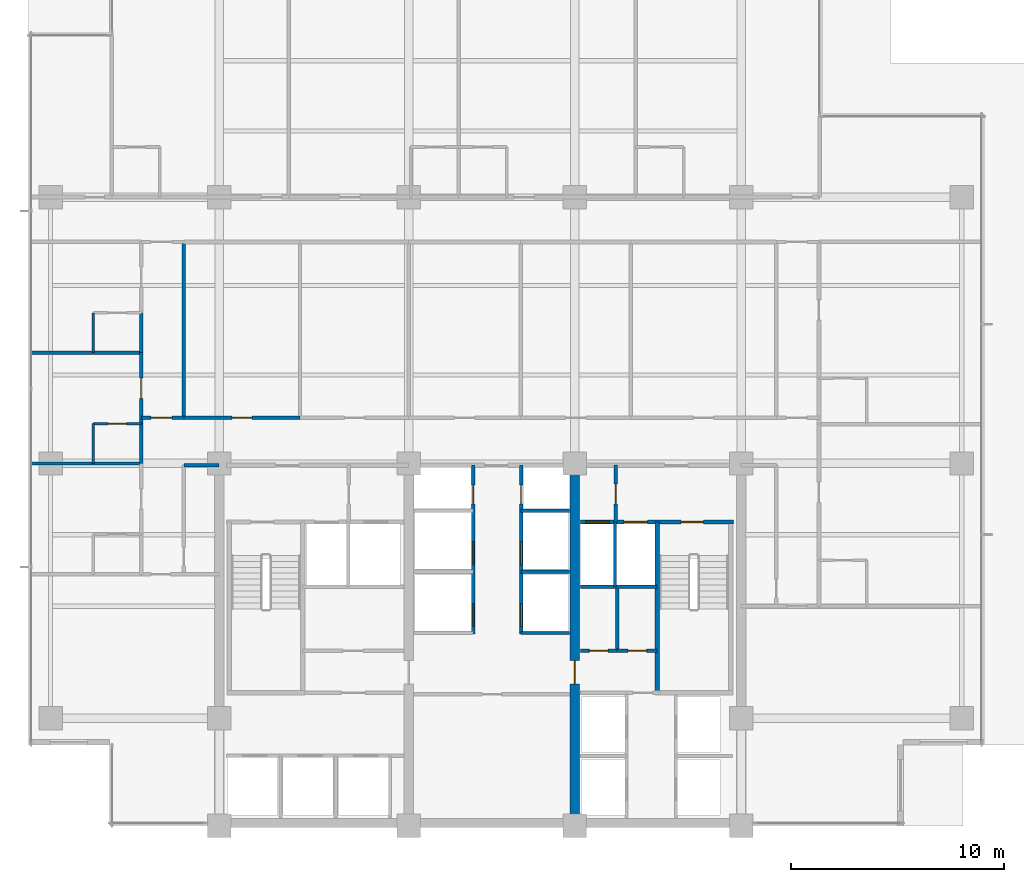
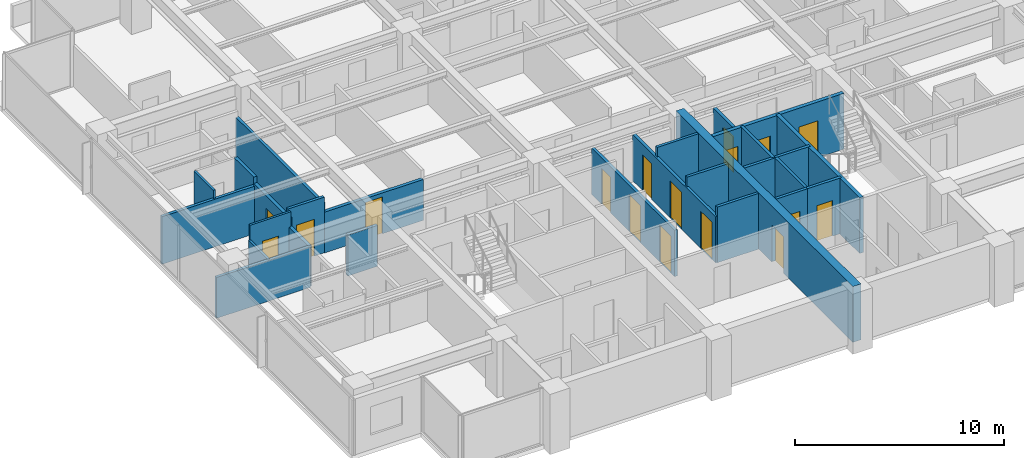
# One storey, part 8 of 16: 26 walls, 17 doors, 17 openings.
"""IFC4 building model written with IfcOpenShell, lengths in metres."""

import ifcopenshell
import ifcopenshell.guid

model = None  # the IFC model being written
_history = None  # IfcOwnerHistory: only IFC2X3 demands one
_inside = {}  # id of a spatial element -> (the spatial element, [elements in it])
_under = {}  # id of a project, library or spatial element -> (it, [spatial elements below it])
_declared = {}  # id of a project -> (the project, [libraries it declares])
_typed = {}  # id of a type object -> (the type object, [elements of that type])
_made_of = {}  # id of a material, layer set ... -> (it, [elements and type objects made of it])


def new_model(schema):
    """Start an empty IFC model of exactly this schema.

    Asked for "IFC4X3", IfcOpenShell would pick the latest addendum, in which some entities
    have other attributes; the version numbers below select the first issue.
    IFC2X3 requires an IfcOwnerHistory on every rooted entity: one is made here for all.
    """
    global model, _history
    if schema == "IFC4X3":
        model = ifcopenshell.file(schema_version=(4, 3, 0, 0))
    else:
        model = ifcopenshell.file(schema=schema)
    _inside.clear()
    _under.clear()
    _declared.clear()
    _typed.clear()
    _made_of.clear()
    _history = None
    if model.schema == "IFC2X3":
        org = make("IfcOrganization", Name="unknown")
        user = make(
            "IfcPersonAndOrganization",
            ThePerson=make("IfcPerson", FamilyName="unknown"),
            TheOrganization=org,
        )
        app = make(
            "IfcApplication",
            ApplicationDeveloper=org,
            Version="unknown",
            ApplicationFullName="unknown",
            ApplicationIdentifier="unknown",
        )
        _history = make(
            "IfcOwnerHistory",
            OwningUser=user,
            OwningApplication=app,
            ChangeAction="ADDED",
            CreationDate=0,
        )
    return model


def make(cls, **values):
    """One entity of the class cls with the attributes given. An attribute that is None is left unset."""
    return model.create_entity(
        cls, **{name: value for name, value in values.items() if value is not None}
    )


def rooted(cls, **values):
    """An entity with a GlobalId (a new one), such as an element, a storey or a relation."""
    return make(cls, GlobalId=ifcopenshell.guid.new(), OwnerHistory=_history, **values)


def si_unit(unit_type, name, prefix=None):
    """IfcSIUnit, for example si_unit("LENGTHUNIT", "METRE", prefix="MILLI")."""
    return make("IfcSIUnit", UnitType=unit_type, Prefix=prefix, Name=name)


def assignment(units):
    """IfcUnitAssignment: the units of a project."""
    return None if units is None else make("IfcUnitAssignment", Units=units)


def point(xyz):
    """IfcCartesianPoint."""
    return None if xyz is None else make("IfcCartesianPoint", Coordinates=xyz)


def direction(xyz):
    """IfcDirection."""
    return None if xyz is None else make("IfcDirection", DirectionRatios=xyz)


def frame(location, z_axis=None, x_axis=None):
    """IfcAxis2Placement3D, a coordinate frame: its origin and axes. An axis left out is left unset."""
    return make(
        "IfcAxis2Placement3D",
        Location=point(location),
        Axis=direction(z_axis),
        RefDirection=direction(x_axis),
    )


def frame_2d(location, x_axis=None):
    """IfcAxis2Placement2D, a coordinate frame in the plane: its origin and x axis."""
    return make(
        "IfcAxis2Placement2D", Location=point(location), RefDirection=direction(x_axis)
    )


def origin():
    """The frame at (0, 0, 0) with its axes left unset."""
    return frame((0.0, 0.0, 0.0))


def place(relative_to, where):
    """IfcLocalPlacement: puts the frame where relative to a parent placement (None: the world)."""
    return make(
        "IfcLocalPlacement", PlacementRelTo=relative_to, RelativePlacement=where
    )


def context(
    kind, dimensions, precision=None, world=None, true_north=None, identifier=None
):
    """IfcGeometricRepresentationContext, for example the 3D "Model" context."""
    return make(
        "IfcGeometricRepresentationContext",
        ContextIdentifier=identifier,
        ContextType=kind,
        CoordinateSpaceDimension=dimensions,
        Precision=precision,
        WorldCoordinateSystem=world,
        TrueNorth=true_north,
    )


def subcontext(parent, identifier, kind, view, scale=None):
    """IfcGeometricRepresentationSubContext, for example "Body" below "Model"."""
    return make(
        "IfcGeometricRepresentationSubContext",
        ContextIdentifier=identifier,
        ContextType=kind,
        ParentContext=parent,
        TargetScale=scale,
        TargetView=view,
    )


def project(units=None, contexts=None):
    """IfcProject with its units and contexts."""
    return rooted(
        "IfcProject",
        Name="project",
        RepresentationContexts=contexts,
        UnitsInContext=assignment(units),
    )


def spatial(cls, under=None, at=None, **own):
    """A site, building, storey or space (cls), placed at a placement, below another one or the project."""
    s = rooted(cls, ObjectPlacement=at, **own)
    if under is not None:
        _under.setdefault(under.id(), (under, []))[1].append(s)
    return s


def profile(cls, at=None, kind="AREA", **sizes):
    """A parametric profile (cls). Its sizes go by their IFC names, for example OverallWidth=200.0."""
    return make(cls, ProfileType=kind, Position=at, **sizes)


def rectangle(**sizes):
    """IfcRectangleProfileDef."""
    return profile("IfcRectangleProfileDef", **sizes)


def extrude(swept, where, along, depth):
    """IfcExtrudedAreaSolid: the profile swept, set in the frame where, extruded along a direction by depth."""
    return make(
        "IfcExtrudedAreaSolid",
        SweptArea=swept,
        Position=where,
        ExtrudedDirection=direction(along),
        Depth=depth,
    )


def shape(context_of_items, identifier, shape_type, items):
    """IfcShapeRepresentation: the items that make up one representation, for example the "Body"."""
    return make(
        "IfcShapeRepresentation",
        ContextOfItems=context_of_items,
        RepresentationIdentifier=identifier,
        RepresentationType=shape_type,
        Items=items,
    )


def material(Name=None, Category=None):
    """IfcMaterial."""
    return make("IfcMaterial", Name=Name, Category=Category)


def layer(
    of_material, thickness, ventilated=None, Name=None, Category=None, Priority=None
):
    """IfcMaterialLayer: one layer of a wall or slab, of a material (None: an air gap)."""
    return make(
        "IfcMaterialLayer",
        Material=of_material,
        LayerThickness=thickness,
        IsVentilated=ventilated,
        Name=Name,
        Category=Category,
        Priority=Priority,
    )


def layer_set(layers, Name=None):
    """IfcMaterialLayerSet."""
    return make("IfcMaterialLayerSet", MaterialLayers=layers, LayerSetName=Name)


def made_of(thing, what):
    """Note that an element or type object is made of a material, layer set ...; save() writes the relation."""
    if what is not None:
        _made_of.setdefault(what.id(), (what, []))[1].append(thing)
    return thing


def type_object(cls, material=None, **own):
    """A type object (cls), such as IfcWallType, which elements share."""
    return made_of(rooted(cls, **own), material)


def element(
    cls,
    number,
    at=None,
    inside=None,
    cuts=None,
    type_object=None,
    material=None,
    context=None,
    identifier="Body",
    shape_type=None,
    held_by="IfcProductDefinitionShape",
    body=None,
    shapes=None,
    **own,
):
    """One element of the class cls, such as IfcWall. Its Tag is "e" and its number.

    at: its placement. inside: the storey or other place that contains it. cuts: it is an
    opening in that element (IfcRelVoidsElement). A single representation is given by context,
    identifier, shape_type and body (its items); several are given by shapes. held_by: the class
    of the entity that holds the representations. save() writes the other relations.
    """
    e = rooted(cls, Tag="e%d" % number, ObjectPlacement=at, **own)
    if body is not None:
        shapes = [shape(context, identifier, shape_type, body)]
    if shapes is not None:
        e.Representation = make(held_by, Representations=shapes)
    if inside is not None:
        _inside.setdefault(inside.id(), (inside, []))[1].append(e)
    if cuts is not None:
        rooted(
            "IfcRelVoidsElement", RelatingBuildingElement=cuts, RelatedOpeningElement=e
        )
    if type_object is not None:
        _typed.setdefault(type_object.id(), (type_object, []))[1].append(e)
    return made_of(e, material)


def fill(opening, filler):
    """IfcRelFillsElement: the door or window that sits in an opening."""
    return rooted(
        "IfcRelFillsElement",
        RelatingOpeningElement=opening,
        RelatedBuildingElement=filler,
    )


def aggregate(whole, parts):
    """IfcRelAggregates: a whole, such as a stair, and the parts it consists of."""
    return rooted("IfcRelAggregates", RelatingObject=whole, RelatedObjects=parts)


def save(model, path):
    """Write the relations noted so far, then the file.

    IfcRelAggregates (storeys below a building ...), IfcRelContainedInSpatialStructure (elements
    in a storey), IfcRelDefinesByType, IfcRelAssociatesMaterial and IfcRelDeclares: one each for
    every whole, place, type object, material and project.
    """
    for whole, parts in _under.values():
        aggregate(whole, parts)
    for where, things in _inside.values():
        rooted(
            "IfcRelContainedInSpatialStructure",
            RelatedElements=things,
            RelatingStructure=where,
        )
    for kind, things in _typed.values():
        rooted("IfcRelDefinesByType", RelatedObjects=things, RelatingType=kind)
    for what, things in _made_of.values():
        rooted("IfcRelAssociatesMaterial", RelatedObjects=things, RelatingMaterial=what)
    for by, libraries in _declared.values():
        rooted("IfcRelDeclares", RelatingContext=by, RelatedDefinitions=libraries)
    model.write(path)


model = new_model("IFC4")

# Units and contexts
model_context = context("Model", 3, precision=1e-05, world=origin(), true_north=direction((0.0, 1.0)))
body_context = subcontext(model_context, "Body", "Model", "MODEL_VIEW")
ifc_project = project(units=[si_unit("LENGTHUNIT", "METRE"), si_unit("AREAUNIT", "SQUARE_METRE"), si_unit("VOLUMEUNIT", "CUBIC_METRE"), si_unit("PLANEANGLEUNIT", "RADIAN"), si_unit("MASSUNIT", "GRAM", prefix="KILO")], contexts=[model_context])

# Site, building, storey
site_placement = place(None, origin())
site = spatial("IfcSite", under=ifc_project, at=site_placement, CompositionType="ELEMENT")
building_placement = place(site_placement, origin())
building = spatial("IfcBuilding", under=site, at=building_placement, Name="Qalmaran Belvedere Hotel", CompositionType="ELEMENT")
storey_placement = place(building_placement, frame((0.0, 0.0, 138.60009765625)))
storey = spatial("IfcBuildingStorey", under=building, at=storey_placement, Name="L34", CompositionType="ELEMENT", Elevation=138.60009765625)

# Wall, opening, door
ifc_material_1 = material(Name="Concrete C50/60", Category="concrete")
ifc_layer_1 = layer(ifc_material_1, 0.449951171875, Name="Concrete C50/60")
ifc_layer_set_1 = layer_set([ifc_layer_1], Name="Concrete C50/60")
wall_type_1 = type_object("IfcWallType", Name="WL-CORE-450-C50", PredefinedType="SHEAR", material=ifc_layer_set_1)
wall_1_placement = place(storey_placement, frame((37.0, 3.5, 0.0), z_axis=(0.0, 0.0, 1.0), x_axis=(0.0, 1.0, 0.0)))
wall_1 = element("IfcWall", 1, at=wall_1_placement, inside=storey, type_object=wall_type_1, Name="L34 Core East Spine Shear Wall", PredefinedType="SHEAR", context=body_context, shape_type="SweptSolid", body=[
    extrude(rectangle(XDim=16.89990234375, YDim=0.449951171875, at=frame_2d((8.449951171875, 0.0))), origin(), (0.0, 0.0, 1.0), 3.25),
])
opening_1_placement = place(wall_1_placement, frame((6.64990234375, 0.0, 0.0)))
opening_1 = element("IfcOpeningElement", 2, at=opening_1_placement, cuts=wall_1, Name="Opening FD90", PredefinedType="OPENING", context=body_context, shape_type="SweptSolid", body=[
    extrude(rectangle(XDim=1.10009765625, YDim=2.14990234375, at=frame_2d((0.550048828125, 1.074951171875))), frame((0.0, 0.23486328125, 0.0), z_axis=(0.0, -1.0, 0.0), x_axis=(1.0, 0.0, 0.0)), (0.0, 0.0, 1.0), 0.469970703125),
])
ifc_material_2 = material(Name="Steel S355JR", Category="steel")
door_type_1 = type_object("IfcDoorType", Name="DR-FD90-1100X2150", OperationType="NOTDEFINED", PredefinedType="DOOR", material=ifc_material_2)
door_1_placement = place(opening_1_placement, origin())
door_1 = element("IfcDoor", 3, at=door_1_placement, inside=storey, type_object=door_type_1, Name="L34 Core East Cross-Lobby Door", OperationType="SINGLE_SWING_LEFT", OverallHeight=2.14990234375, OverallWidth=1.10009765625, PredefinedType="DOOR", context=body_context, shape_type="SweptSolid", body=[
    extrude(rectangle(XDim=1.10009765625, YDim=2.14990234375, at=frame_2d((0.550048828125, 1.074951171875))), frame((0.0, 0.02490234375, 0.0), z_axis=(0.0, -1.0, 0.0), x_axis=(1.0, 0.0, 0.0)), (0.0, 0.0, 1.0), 0.050048828125),
])
fill(opening_1, door_1)

ifc_material_3 = material(Name="Moisture-Resistant Gypsum")
ifc_layer_2 = layer(ifc_material_3, 0.1201171875, Name="Moisture-Resistant Gypsum")
ifc_layer_set_2 = layer_set([ifc_layer_2], Name="Moisture-Resistant Gypsum")
wall_type_2 = type_object("IfcWallType", Name="WL-INT-120-BATH", PredefinedType="PARTITIONING", material=ifc_layer_set_2)
wall_2_placement = place(storey_placement, frame((14.39990234375, 22.3701171875, 0.0), z_axis=(0.0, 0.0, 1.0), x_axis=(1.0, 0.0, 0.0)))
wall_2 = element("IfcWall", 4, at=wall_2_placement, inside=storey, type_object=wall_type_2, Name="L34 Partition WL-L34-WBN01", PredefinedType="PARTITIONING", context=body_context, shape_type="SweptSolid", body=[
    extrude(rectangle(XDim=2.25, YDim=0.1201171875, at=frame_2d((1.125, 0.0))), origin(), (0.0, 0.0, 1.0), 3.25),
])
opening_2_placement = place(wall_2_placement, frame((1.56494140625, 0.0, 0.0), z_axis=(0.0, 0.0, 1.0), x_axis=(-1.0, 0.0, 0.0)))
opening_2 = element("IfcOpeningElement", 5, at=opening_2_placement, cuts=wall_2, Name="Opening D-BATH", PredefinedType="OPENING", context=body_context, shape_type="SweptSolid", body=[
    extrude(rectangle(XDim=0.8798828125, YDim=2.080078125, at=frame_2d((0.43994140625, 1.0400390625))), frame((0.0, 0.070068359375, 0.0), z_axis=(0.0, -1.0, 0.0), x_axis=(1.0, 0.0, 0.0)), (0.0, 0.0, 1.0), 0.14013671875),
])
ifc_material_4 = material(Name="Engineered Oak Veneer")
door_type_2 = type_object("IfcDoorType", Name="DR-INT-BATH-880X2080", OperationType="NOTDEFINED", PredefinedType="DOOR", material=ifc_material_4)
door_2_placement = place(opening_2_placement, origin())
door_2 = element("IfcDoor", 6, at=door_2_placement, inside=storey, type_object=door_type_2, Name="L34 W Ensuite Door 02", OperationType="SINGLE_SWING_RIGHT", OverallHeight=2.080078125, OverallWidth=0.8798828125, PredefinedType="DOOR", context=body_context, shape_type="SweptSolid", body=[
    extrude(rectangle(XDim=0.8798828125, YDim=2.080078125, at=frame_2d((0.43994140625, 1.0400390625))), frame((0.0, 0.02490234375, 0.0), z_axis=(0.0, -1.0, 0.0), x_axis=(1.0, 0.0, 0.0)), (0.0, 0.0, 1.0), 0.050048828125),
])
fill(opening_2, door_2)

# Walls
wall_3_placement = place(storey_placement, frame((14.39990234375, 20.5, 0.0), z_axis=(0.0, 0.0, 1.0), x_axis=(0.0, 1.0, 0.0)))
element("IfcWall", 7, at=wall_3_placement, inside=storey, type_object=wall_type_2, Name="L34 Partition WL-L34-WBS01", PredefinedType="PARTITIONING", context=body_context, shape_type="SweptSolid", body=[
    extrude(rectangle(XDim=1.8701171875, YDim=0.1201171875, at=frame_2d((0.93505859375, 0.0))), origin(), (0.0, 0.0, 1.0), 2.3798828125),
])
wall_4_placement = place(storey_placement, frame((14.39990234375, 25.699951171875, 0.0), z_axis=(0.0, 0.0, 1.0), x_axis=(0.0, 1.0, 0.0)))
element("IfcWall", 8, at=wall_4_placement, inside=storey, type_object=wall_type_2, Name="L34 Partition WL-L34-WBS02", PredefinedType="PARTITIONING", context=body_context, shape_type="SweptSolid", body=[
    extrude(rectangle(XDim=1.8701171875, YDim=0.1201171875, at=frame_2d((0.93505859375, 0.0))), origin(), (0.0, 0.0, 1.0), 3.25),
])
ifc_material_5 = material(Name="Gypsum Stud Partition")
ifc_layer_3 = layer(ifc_material_5, 0.14990234375, Name="Gypsum Stud Partition")
ifc_layer_set_3 = layer_set([ifc_layer_3], Name="Gypsum Stud Partition")
wall_type_3 = type_object("IfcWallType", Name="WL-INT-150-EI120", PredefinedType="PARTITIONING", material=ifc_layer_set_3)
wall_5_placement = place(storey_placement, frame((38.8798828125, 14.719970703125, 0.0), z_axis=(0.0, 0.0, 1.0), x_axis=(0.0, 1.0, 0.0)))
element("IfcWall", 9, at=wall_5_placement, inside=storey, type_object=wall_type_3, Name="L34 Partition WL-FF2M-L34", PredefinedType="PARTITIONING", context=body_context, shape_type="SweptSolid", body=[
    extrude(rectangle(XDim=3.0400390625, YDim=0.14990234375, at=frame_2d((1.52001953125, 0.0))), origin(), (0.0, 0.0, 1.0), 3.25),
])
for number, where, z_axis, x_axis, name in (
    (10, (34.47998046875, 12.550048828125, 0.0), (0.0, 0.0, 1.0), (1.0, 0.0, 0.0), "L34 Partition WL-PME-L34-125"),
    (11, (34.47998046875, 15.419921875, 0.0), (0.0, 0.0, 1.0), (1.0, 0.0, 0.0), "L34 Partition WL-PME-L34-154"),
    (12, (34.47998046875, 18.280029296875, 0.0), (0.0, 0.0, 1.0), (1.0, 0.0, 0.0), "L34 Partition WL-PME-L34-182"),
):
    element("IfcWall", number, at=place(storey_placement, frame(where, z_axis=z_axis, x_axis=x_axis)), inside=storey, type_object=wall_type_3, Name=name, PredefinedType="PARTITIONING", context=body_context, shape_type="SweptSolid", body=[
        extrude(rectangle(XDim=2.27001953125, YDim=0.14990234375, at=frame_2d((1.135009765625, 0.0))), origin(), (0.0, 0.0, 1.0), 3.25),
    ])
ifc_layer_4 = layer(ifc_material_5, 0.14990234375, Name="Gypsum Stud Partition")
ifc_layer_set_4 = layer_set([ifc_layer_4], Name="Gypsum Stud Partition")
wall_type_4 = type_object("IfcWallType", Name="WL-INT-150-EI60", PredefinedType="PARTITIONING", material=ifc_layer_set_4)
wall_6_placement = place(storey_placement, frame((38.98291015625, 11.719970703125, 0.0), z_axis=(0.0, 0.0, 1.0), x_axis=(0.0, 1.0, 0.0)))
element("IfcWall", 13, at=wall_6_placement, inside=storey, type_object=wall_type_4, Name="L34 Partition WL-L34-KEV1", PredefinedType="PARTITIONING", context=body_context, shape_type="SweptSolid", body=[
    extrude(rectangle(XDim=2.929931640625, YDim=0.14990234375, at=frame_2d((1.46484375, 0.0))), origin(), (0.0, 0.0, 1.0), 3.25),
])

# Wall, opening, door
wall_7_placement = place(storey_placement, frame((16.64990234375, 22.64990234375, 0.0), z_axis=(0.0, 0.0, 1.0), x_axis=(1.0, 0.0, 0.0)))
wall_7 = element("IfcWall", 14, at=wall_7_placement, inside=storey, type_object=wall_type_4, Name="L34 Partition WL-L34-XCW1", PredefinedType="PARTITIONING", context=body_context, shape_type="SweptSolid", body=[
    extrude(rectangle(XDim=2.0, YDim=0.14990234375, at=frame_2d((1.0, 0.0))), origin(), (0.0, 0.0, 1.0), 3.25),
])
opening_3_placement = place(wall_7_placement, frame((0.449951171875, 0.0, 0.0)))
opening_3 = element("IfcOpeningElement", 15, at=opening_3_placement, cuts=wall_7, Name="Opening FD90B", PredefinedType="OPENING", context=body_context, shape_type="SweptSolid", body=[
    extrude(rectangle(XDim=1.0, YDim=2.14990234375, at=frame_2d((0.5, 1.074951171875))), frame((0.0, 0.0849609375, 0.0), z_axis=(0.0, -1.0, 0.0), x_axis=(1.0, 0.0, 0.0)), (0.0, 0.0, 1.0), 0.169921875),
])
door_type_3 = type_object("IfcDoorType", Name="DR-FD90B-1000X2150", OperationType="NOTDEFINED", PredefinedType="DOOR", material=ifc_material_2)
door_3_placement = place(opening_3_placement, origin())
door_3 = element("IfcDoor", 16, at=door_3_placement, inside=storey, type_object=door_type_3, Name="L34 West Corridor Smoke Door S", OperationType="SINGLE_SWING_LEFT", OverallHeight=2.14990234375, OverallWidth=1.0, PredefinedType="DOOR", context=body_context, shape_type="SweptSolid", body=[
    extrude(rectangle(XDim=1.0, YDim=2.14990234375, at=frame_2d((0.5, 1.074951171875))), frame((0.0, 0.02490234375, 0.0), z_axis=(0.0, -1.0, 0.0), x_axis=(1.0, 0.0, 0.0)), (0.0, 0.0, 1.0), 0.050048828125),
])
fill(opening_3, door_3)

ifc_layer_5 = layer(ifc_material_5, 0.159912109375, Name="Gypsum Stud Partition")
ifc_layer_set_5 = layer_set([ifc_layer_5], Name="Gypsum Stud Partition")
wall_type_5 = type_object("IfcWallType", Name="WL-INT-160-EI120", PredefinedType="PARTITIONING", material=ifc_layer_set_5)
wall_8_placement = place(storey_placement, frame((38.919921875, 17.760009765625, 0.0), z_axis=(0.0, 0.0, 1.0), x_axis=(0.0, 1.0, 0.0)))
wall_8 = element("IfcWall", 17, at=wall_8_placement, inside=storey, type_object=wall_type_5, Name="L34 Partition WL-FFSV2-L34", PredefinedType="PARTITIONING", context=body_context, shape_type="SweptSolid", body=[
    extrude(rectangle(XDim=2.659912109375, YDim=0.159912109375, at=frame_2d((1.330078125, 0.0))), origin(), (0.0, 0.0, 1.0), 2.69189453125),
])
opening_4_placement = place(wall_8_placement, frame((1.77001953125, 0.0, 0.0), z_axis=(0.0, 0.0, 1.0), x_axis=(-1.0, 0.0, 0.0)))
opening_4 = element("IfcOpeningElement", 18, at=opening_4_placement, cuts=wall_8, Name="Opening FD60S1", PredefinedType="OPENING", context=body_context, shape_type="SweptSolid", body=[
    extrude(rectangle(XDim=0.919921875, YDim=2.080078125, at=frame_2d((0.4599609375, 1.0400390625))), frame((0.0, 0.08984375, 0.0), z_axis=(0.0, -1.0, 0.0), x_axis=(1.0, 0.0, 0.0)), (0.0, 0.0, 1.0), 0.179931640625),
])
door_type_4 = type_object("IfcDoorType", Name="DR-FD60S-920X2080", OperationType="NOTDEFINED", PredefinedType="DOOR", material=ifc_material_4)
door_4_placement = place(opening_4_placement, origin())
door_4 = element("IfcDoor", 19, at=door_4_placement, inside=storey, type_object=door_type_4, Name="L34 Service Lobby East Door", OperationType="SINGLE_SWING_LEFT", OverallHeight=2.080078125, OverallWidth=0.919921875, PredefinedType="DOOR", context=body_context, shape_type="SweptSolid", body=[
    extrude(rectangle(XDim=0.919921875, YDim=2.080078125, at=frame_2d((0.4599609375, 1.0400390625))), frame((0.0, 0.02490234375, 0.0), z_axis=(0.0, -1.0, 0.0), x_axis=(1.0, 0.0, 0.0)), (0.0, 0.0, 1.0), 0.050048828125),
])
fill(opening_4, door_4)

# Wall
wall_9_placement = place(storey_placement, frame((37.25, 14.719970703125, 0.0), z_axis=(0.0, 0.0, 1.0), x_axis=(1.0, 0.0, 0.0)))
element("IfcWall", 20, at=wall_9_placement, inside=storey, type_object=wall_type_5, Name="L34 Partition WL-FF2S-L34", PredefinedType="PARTITIONING", context=body_context, shape_type="SweptSolid", body=[
    extrude(rectangle(XDim=3.610107421875, YDim=0.159912109375, at=frame_2d((1.80517578125, 0.0))), origin(), (0.0, 0.0, 1.0), 3.25),
])

# Wall, openings, doors
wall_10_placement = place(storey_placement, frame((32.219970703125, 12.5, 0.0), z_axis=(0.0, 0.0, 1.0), x_axis=(0.0, 1.0, 0.0)))
wall_10 = element("IfcWall", 21, at=wall_10_placement, inside=storey, type_object=wall_type_5, Name="L34 Partition WL-CLBWN-L34", PredefinedType="PARTITIONING", context=body_context, shape_type="SweptSolid", body=[
    extrude(rectangle(XDim=7.919921875, YDim=0.159912109375, at=frame_2d((3.9599609375, 0.0))), origin(), (0.0, 0.0, 1.0), 2.69189453125),
])
opening_5_placement = place(wall_10_placement, frame((1.43017578125, 0.0, 0.0), z_axis=(0.0, 0.0, 1.0), x_axis=(-1.0, 0.0, 0.0)))
opening_5 = element("IfcOpeningElement", 22, at=opening_5_placement, cuts=wall_10, Name="Opening LD-P1", PredefinedType="OPENING", context=body_context, shape_type="SweptSolid", body=[
    extrude(rectangle(XDim=1.080078125, YDim=2.159912109375, at=frame_2d((0.5400390625, 1.080078125))), frame((0.0, 0.08984375, 0.0), z_axis=(0.0, -1.0, 0.0), x_axis=(1.0, 0.0, 0.0)), (0.0, 0.0, 1.0), 0.179931640625),
])
opening_6_placement = place(wall_10_placement, frame((4.330078125, 0.0, 0.0), z_axis=(0.0, 0.0, 1.0), x_axis=(-1.0, 0.0, 0.0)))
opening_6 = element("IfcOpeningElement", 23, at=opening_6_placement, cuts=wall_10, Name="Opening LD-P1", PredefinedType="OPENING", context=body_context, shape_type="SweptSolid", body=[
    extrude(rectangle(XDim=1.080078125, YDim=2.159912109375, at=frame_2d((0.5400390625, 1.080078125))), frame((0.0, 0.08984375, 0.0), z_axis=(0.0, -1.0, 0.0), x_axis=(1.0, 0.0, 0.0)), (0.0, 0.0, 1.0), 0.179931640625),
])
opening_7_placement = place(wall_10_placement, frame((6.10009765625, 0.0, 0.0)))
opening_7 = element("IfcOpeningElement", 24, at=opening_7_placement, cuts=wall_10, Name="Opening FD60B", PredefinedType="OPENING", context=body_context, shape_type="SweptSolid", body=[
    extrude(rectangle(XDim=0.8798828125, YDim=2.080078125, at=frame_2d((0.43994140625, 1.0400390625))), frame((0.0, 0.08984375, 0.0), z_axis=(0.0, -1.0, 0.0), x_axis=(1.0, 0.0, 0.0)), (0.0, 0.0, 1.0), 0.179931640625),
])
door_type_5 = type_object("IfcDoorType", Name="DR-FD60B-880X2080", OperationType="NOTDEFINED", PredefinedType="DOOR", material=ifc_material_2)
door_5_placement = place(opening_7_placement, origin())
door_5 = element("IfcDoor", 25, at=door_5_placement, inside=storey, type_object=door_type_5, Name="L34 West Riser Access Door", OperationType="SINGLE_SWING_LEFT", OverallHeight=2.080078125, OverallWidth=0.8798828125, PredefinedType="DOOR", context=body_context, shape_type="SweptSolid", body=[
    extrude(rectangle(XDim=0.8798828125, YDim=2.080078125, at=frame_2d((0.43994140625, 1.0400390625))), frame((0.0, 0.02490234375, 0.0), z_axis=(0.0, -1.0, 0.0), x_axis=(1.0, 0.0, 0.0)), (0.0, 0.0, 1.0), 0.050048828125),
])
fill(opening_7, door_5)
ifc_material_6 = material(Name="Stainless Steel 1.4401", Category="steel")
door_type_6 = type_object("IfcDoorType", Name="DR-LIFT-P1-1080X2160", OperationType="DOUBLE_DOOR_SLIDING", PredefinedType="DOOR", material=ifc_material_6)
door_6_placement = place(opening_5_placement, origin())
door_6 = element("IfcDoor", 26, at=door_6_placement, inside=storey, type_object=door_type_6, Name="L34 PM1 Lift Landing Door", OperationType="DOUBLE_DOOR_SLIDING", OverallHeight=2.159912109375, OverallWidth=1.080078125, PredefinedType="DOOR", context=body_context, shape_type="SweptSolid", body=[
    extrude(rectangle(XDim=1.080078125, YDim=2.159912109375, at=frame_2d((0.5400390625, 1.080078125))), frame((0.0, 0.02490234375, 0.0), z_axis=(0.0, -1.0, 0.0), x_axis=(1.0, 0.0, 0.0)), (0.0, 0.0, 1.0), 0.050048828125),
])
fill(opening_5, door_6)
door_7_placement = place(opening_6_placement, origin())
door_7 = element("IfcDoor", 27, at=door_7_placement, inside=storey, type_object=door_type_6, Name="L34 PM2 Lift Landing Door", OperationType="DOUBLE_DOOR_SLIDING", OverallHeight=2.159912109375, OverallWidth=1.080078125, PredefinedType="DOOR", context=body_context, shape_type="SweptSolid", body=[
    extrude(rectangle(XDim=1.080078125, YDim=2.159912109375, at=frame_2d((0.5400390625, 1.080078125))), frame((0.0, 0.02490234375, 0.0), z_axis=(0.0, -1.0, 0.0), x_axis=(1.0, 0.0, 0.0)), (0.0, 0.0, 1.0), 0.050048828125),
])
fill(opening_6, door_7)

wall_11_placement = place(storey_placement, frame((34.47998046875, 12.5, 0.0), z_axis=(0.0, 0.0, 1.0), x_axis=(0.0, 1.0, 0.0)))
wall_11 = element("IfcWall", 28, at=wall_11_placement, inside=storey, type_object=wall_type_5, Name="L34 Partition WL-CLBEN-L34", PredefinedType="PARTITIONING", context=body_context, shape_type="SweptSolid", body=[
    extrude(rectangle(XDim=7.919921875, YDim=0.159912109375, at=frame_2d((3.9599609375, 0.0))), origin(), (0.0, 0.0, 1.0), 2.69189453125),
])
opening_8_placement = place(wall_11_placement, frame((0.35009765625, 0.0, 0.0)))
opening_8 = element("IfcOpeningElement", 29, at=opening_8_placement, cuts=wall_11, Name="Opening LD-P1", PredefinedType="OPENING", context=body_context, shape_type="SweptSolid", body=[
    extrude(rectangle(XDim=1.080078125, YDim=2.159912109375, at=frame_2d((0.5400390625, 1.080078125))), frame((0.0, 0.08984375, 0.0), z_axis=(0.0, -1.0, 0.0), x_axis=(1.0, 0.0, 0.0)), (0.0, 0.0, 1.0), 0.179931640625),
])
opening_9_placement = place(wall_11_placement, frame((3.25, 0.0, 0.0)))
opening_9 = element("IfcOpeningElement", 30, at=opening_9_placement, cuts=wall_11, Name="Opening LD-P1", PredefinedType="OPENING", context=body_context, shape_type="SweptSolid", body=[
    extrude(rectangle(XDim=1.080078125, YDim=2.159912109375, at=frame_2d((0.5400390625, 1.080078125))), frame((0.0, 0.08984375, 0.0), z_axis=(0.0, -1.0, 0.0), x_axis=(1.0, 0.0, 0.0)), (0.0, 0.0, 1.0), 0.179931640625),
])
opening_10_placement = place(wall_11_placement, frame((6.97998046875, 0.0, 0.0), z_axis=(0.0, 0.0, 1.0), x_axis=(-1.0, 0.0, 0.0)))
opening_10 = element("IfcOpeningElement", 31, at=opening_10_placement, cuts=wall_11, Name="Opening FD60B", PredefinedType="OPENING", context=body_context, shape_type="SweptSolid", body=[
    extrude(rectangle(XDim=0.8798828125, YDim=2.080078125, at=frame_2d((0.43994140625, 1.0400390625))), frame((0.0, 0.08984375, 0.0), z_axis=(0.0, -1.0, 0.0), x_axis=(1.0, 0.0, 0.0)), (0.0, 0.0, 1.0), 0.179931640625),
])
door_8_placement = place(opening_10_placement, origin())
door_8 = element("IfcDoor", 32, at=door_8_placement, inside=storey, type_object=door_type_5, Name="L34 East Riser Access Door", OperationType="SINGLE_SWING_RIGHT", OverallHeight=2.080078125, OverallWidth=0.8798828125, PredefinedType="DOOR", context=body_context, shape_type="SweptSolid", body=[
    extrude(rectangle(XDim=0.8798828125, YDim=2.080078125, at=frame_2d((0.43994140625, 1.0400390625))), frame((0.0, 0.02490234375, 0.0), z_axis=(0.0, -1.0, 0.0), x_axis=(1.0, 0.0, 0.0)), (0.0, 0.0, 1.0), 0.050048828125),
])
fill(opening_10, door_8)
door_9_placement = place(opening_8_placement, origin())
door_9 = element("IfcDoor", 33, at=door_9_placement, inside=storey, type_object=door_type_6, Name="L34 PM3 Lift Landing Door", OperationType="DOUBLE_DOOR_SLIDING", OverallHeight=2.159912109375, OverallWidth=1.080078125, PredefinedType="DOOR", context=body_context, shape_type="SweptSolid", body=[
    extrude(rectangle(XDim=1.080078125, YDim=2.159912109375, at=frame_2d((0.5400390625, 1.080078125))), frame((0.0, 0.02490234375, 0.0), z_axis=(0.0, -1.0, 0.0), x_axis=(1.0, 0.0, 0.0)), (0.0, 0.0, 1.0), 0.050048828125),
])
fill(opening_8, door_9)
door_10_placement = place(opening_9_placement, origin())
door_10 = element("IfcDoor", 34, at=door_10_placement, inside=storey, type_object=door_type_6, Name="L34 PM4 Lift Landing Door", OperationType="DOUBLE_DOOR_SLIDING", OverallHeight=2.159912109375, OverallWidth=1.080078125, PredefinedType="DOOR", context=body_context, shape_type="SweptSolid", body=[
    extrude(rectangle(XDim=1.080078125, YDim=2.159912109375, at=frame_2d((0.5400390625, 1.080078125))), frame((0.0, 0.02490234375, 0.0), z_axis=(0.0, -1.0, 0.0), x_axis=(1.0, 0.0, 0.0)), (0.0, 0.0, 1.0), 0.050048828125),
])
fill(opening_9, door_10)

# Wall, opening, door
ifc_layer_6 = layer(ifc_material_5, 0.159912109375, Name="Gypsum Stud Partition")
ifc_layer_set_6 = layer_set([ifc_layer_6], Name="Gypsum Stud Partition")
wall_type_6 = type_object("IfcWallType", Name="WL-INT-160-EI60", PredefinedType="PARTITIONING", material=ifc_layer_set_6)
wall_12_placement = place(storey_placement, frame((37.25, 11.719970703125, 0.0), z_axis=(0.0, 0.0, 1.0), x_axis=(1.0, 0.0, 0.0)))
wall_12 = element("IfcWall", 35, at=wall_12_placement, inside=storey, type_object=wall_type_6, Name="L34 Partition WL-L34-KEE1", PredefinedType="PARTITIONING", context=body_context, shape_type="SweptSolid", body=[
    extrude(rectangle(XDim=1.73291015625, YDim=0.159912109375, at=frame_2d((0.866455078125, 0.0))), origin(), (0.0, 0.0, 1.0), 3.25),
])
opening_11_placement = place(wall_12_placement, frame((0.426513671875, 0.0, 0.0)))
opening_11 = element("IfcOpeningElement", 36, at=opening_11_placement, cuts=wall_12, Name="Opening FD60B", PredefinedType="OPENING", context=body_context, shape_type="SweptSolid", body=[
    extrude(rectangle(XDim=0.8798828125, YDim=2.080078125, at=frame_2d((0.43994140625, 1.0400390625))), frame((0.0, 0.08984375, 0.0), z_axis=(0.0, -1.0, 0.0), x_axis=(1.0, 0.0, 0.0)), (0.0, 0.0, 1.0), 0.179931640625),
])
door_11_placement = place(opening_11_placement, origin())
door_11 = element("IfcDoor", 37, at=door_11_placement, inside=storey, type_object=door_type_5, Name="L34 Cleaner Equipment Store Door", OperationType="SINGLE_SWING_RIGHT", OverallHeight=2.080078125, OverallWidth=0.8798828125, PredefinedType="DOOR", context=body_context, shape_type="SweptSolid", body=[
    extrude(rectangle(XDim=0.8798828125, YDim=2.080078125, at=frame_2d((0.43994140625, 1.0400390625))), frame((0.0, 0.02490234375, 0.0), z_axis=(0.0, -1.0, 0.0), x_axis=(1.0, 0.0, 0.0)), (0.0, 0.0, 1.0), 0.050048828125),
])
fill(opening_11, door_11)

wall_13_placement = place(storey_placement, frame((38.98291015625, 11.719970703125, 0.0), z_axis=(0.0, 0.0, 1.0), x_axis=(1.0, 0.0, 0.0)))
wall_13 = element("IfcWall", 38, at=wall_13_placement, inside=storey, type_object=wall_type_6, Name="L34 Partition WL-L34-KEE2", PredefinedType="PARTITIONING", context=body_context, shape_type="SweptSolid", body=[
    extrude(rectangle(XDim=1.877197265625, YDim=0.159912109375, at=frame_2d((0.9384765625, 0.0))), origin(), (0.0, 0.0, 1.0), 3.25),
])
opening_12_placement = place(wall_13_placement, frame((0.49853515625, 0.0, 0.0)))
opening_12 = element("IfcOpeningElement", 39, at=opening_12_placement, cuts=wall_13, Name="Opening FD60B", PredefinedType="OPENING", context=body_context, shape_type="SweptSolid", body=[
    extrude(rectangle(XDim=0.8798828125, YDim=2.080078125, at=frame_2d((0.43994140625, 1.0400390625))), frame((0.0, 0.08984375, 0.0), z_axis=(0.0, -1.0, 0.0), x_axis=(1.0, 0.0, 0.0)), (0.0, 0.0, 1.0), 0.179931640625),
])
door_12_placement = place(opening_12_placement, origin())
door_12 = element("IfcDoor", 40, at=door_12_placement, inside=storey, type_object=door_type_5, Name="L34 Low Voltage Switch Room Door", OperationType="SINGLE_SWING_LEFT", OverallHeight=2.080078125, OverallWidth=0.8798828125, PredefinedType="DOOR", context=body_context, shape_type="SweptSolid", body=[
    extrude(rectangle(XDim=0.8798828125, YDim=2.080078125, at=frame_2d((0.43994140625, 1.0400390625))), frame((0.0, 0.02490234375, 0.0), z_axis=(0.0, -1.0, 0.0), x_axis=(1.0, 0.0, 0.0)), (0.0, 0.0, 1.0), 0.050048828125),
])
fill(opening_12, door_12)

# Walls
wall_14_placement = place(storey_placement, frame((18.64990234375, 20.419921875, 0.0), z_axis=(0.0, 0.0, 1.0), x_axis=(1.0, 0.0, 0.0)))
element("IfcWall", 41, at=wall_14_placement, inside=storey, type_object=wall_type_6, Name="L34 Partition WL-L34-WCLN", PredefinedType="PARTITIONING", context=body_context, shape_type="SweptSolid", body=[
    extrude(rectangle(XDim=1.650146484375, YDim=0.159912109375, at=frame_2d((0.8251953125, 0.0))), origin(), (0.0, 0.0, 1.0), 2.3798828125),
])
wall_15_placement = place(storey_placement, frame((18.64990234375, 22.64990234375, 0.0), z_axis=(0.0, 0.0, 1.0), x_axis=(0.0, 1.0, 0.0)))
element("IfcWall", 42, at=wall_15_placement, inside=storey, type_object=wall_type_6, Name="L34 Partition WL-L34-MIDVL", PredefinedType="PARTITIONING", context=body_context, shape_type="SweptSolid", body=[
    extrude(rectangle(XDim=8.25, YDim=0.159912109375, at=frame_2d((4.125, 0.0))), origin(), (0.0, 0.0, 1.0), 2.880859375),
])
wall_16_placement = place(storey_placement, frame((11.469970703125, 20.5, 0.0), z_axis=(0.0, 0.0, 1.0), x_axis=(1.0, 0.0, 0.0)))
element("IfcWall", 43, at=wall_16_placement, inside=storey, type_object=wall_type_6, Name="L34 Partition WL-L34-WU00", PredefinedType="PARTITIONING", context=body_context, shape_type="SweptSolid", body=[
    extrude(rectangle(XDim=5.179931640625, YDim=0.159912109375, at=frame_2d((2.58984375, 0.0))), origin(), (0.0, 0.0, 1.0), 2.3798828125),
])
wall_17_placement = place(storey_placement, frame((11.469970703125, 25.699951171875, 0.0), z_axis=(0.0, 0.0, 1.0), x_axis=(1.0, 0.0, 0.0)))
element("IfcWall", 44, at=wall_17_placement, inside=storey, type_object=wall_type_6, Name="L34 Partition WL-L34-WU01", PredefinedType="PARTITIONING", context=body_context, shape_type="SweptSolid", body=[
    extrude(rectangle(XDim=5.179931640625, YDim=0.159912109375, at=frame_2d((2.58984375, 0.0))), origin(), (0.0, 0.0, 1.0), 2.77197265625),
])

# Wall, opening, door
ifc_layer_7 = layer(ifc_material_5, 0.179931640625, Name="Gypsum Stud Partition")
ifc_layer_set_7 = layer_set([ifc_layer_7], Name="Gypsum Stud Partition")
wall_type_7 = type_object("IfcWallType", Name="WL-INT-180-EI60", PredefinedType="PARTITIONING", material=ifc_layer_set_7)
wall_18_placement = place(storey_placement, frame((18.64990234375, 22.64990234375, 0.0), z_axis=(0.0, 0.0, 1.0), x_axis=(1.0, 0.0, 0.0)))
wall_18 = element("IfcWall", 45, at=wall_18_placement, inside=storey, type_object=wall_type_7, Name="L34 Partition WL-L34-MIDD1", PredefinedType="PARTITIONING", context=body_context, shape_type="SweptSolid", body=[
    extrude(rectangle(XDim=5.4501953125, YDim=0.179931640625, at=frame_2d((2.72509765625, 0.0))), origin(), (0.0, 0.0, 1.0), 2.3798828125),
])
opening_13_placement = place(wall_18_placement, frame((2.25, 0.0, 0.0)))
opening_13 = element("IfcOpeningElement", 46, at=opening_13_placement, cuts=wall_18, Name="Opening FD60", PredefinedType="OPENING", context=body_context, shape_type="SweptSolid", body=[
    extrude(rectangle(XDim=0.949951171875, YDim=2.14990234375, at=frame_2d((0.47509765625, 1.074951171875))), frame((0.0, 0.10009765625, 0.0), z_axis=(0.0, -1.0, 0.0), x_axis=(1.0, 0.0, 0.0)), (0.0, 0.0, 1.0), 0.199951171875),
])
door_type_7 = type_object("IfcDoorType", Name="DR-FD60-950X2150", OperationType="NOTDEFINED", PredefinedType="DOOR", material=ifc_material_4)
door_13_placement = place(opening_13_placement, origin())
door_13 = element("IfcDoor", 47, at=door_13_placement, inside=storey, type_object=door_type_7, Name="L34 Housekeeping and Linen Room Door", OperationType="SINGLE_SWING_LEFT", OverallHeight=2.14990234375, OverallWidth=0.949951171875, PredefinedType="DOOR", context=body_context, shape_type="SweptSolid", body=[
    extrude(rectangle(XDim=0.949951171875, YDim=2.14990234375, at=frame_2d((0.47509765625, 1.074951171875))), frame((0.0, 0.02490234375, 0.0), z_axis=(0.0, -1.0, 0.0), x_axis=(1.0, 0.0, 0.0)), (0.0, 0.0, 1.0), 0.050048828125),
])
fill(opening_13, door_13)

# Wall
wall_19_placement = place(storey_placement, frame((16.64990234375, 20.5, 0.0), z_axis=(0.0, 0.0, 1.0), x_axis=(0.0, 1.0, 0.0)))
element("IfcWall", 48, at=wall_19_placement, inside=storey, type_object=wall_type_7, Name="L34 Partition WL-L34-WBC01", PredefinedType="PARTITIONING", context=body_context, shape_type="SweptSolid", body=[
    extrude(rectangle(XDim=1.8701171875, YDim=0.179931640625, at=frame_2d((0.93505859375, 0.0))), origin(), (0.0, 0.0, 1.0), 2.3798828125),
])

# Wall, opening, door
wall_20_placement = place(storey_placement, frame((16.64990234375, 22.3701171875, 0.0), z_axis=(0.0, 0.0, 1.0), x_axis=(0.0, 1.0, 0.0)))
wall_20 = element("IfcWall", 49, at=wall_20_placement, inside=storey, type_object=wall_type_7, Name="L34 Partition WL-L34-WEC01", PredefinedType="PARTITIONING", context=body_context, shape_type="SweptSolid", body=[
    extrude(rectangle(XDim=3.329833984375, YDim=0.179931640625, at=frame_2d((1.6650390625, 0.0))), origin(), (0.0, 0.0, 1.0), 2.880859375),
])
opening_14_placement = place(wall_20_placement, frame((1.18994140625, 0.0, 0.0)))
opening_14 = element("IfcOpeningElement", 50, at=opening_14_placement, cuts=wall_20, Name="Opening FD60", PredefinedType="OPENING", context=body_context, shape_type="SweptSolid", body=[
    extrude(rectangle(XDim=0.949951171875, YDim=2.14990234375, at=frame_2d((0.47509765625, 1.074951171875))), frame((0.0, 0.10009765625, 0.0), z_axis=(0.0, -1.0, 0.0), x_axis=(1.0, 0.0, 0.0)), (0.0, 0.0, 1.0), 0.199951171875),
])
door_14_placement = place(opening_14_placement, origin())
door_14 = element("IfcDoor", 51, at=door_14_placement, inside=storey, type_object=door_type_7, Name="L34 W Wing Door 02", OperationType="SINGLE_SWING_LEFT", OverallHeight=2.14990234375, OverallWidth=0.949951171875, PredefinedType="DOOR", context=body_context, shape_type="SweptSolid", body=[
    extrude(rectangle(XDim=0.949951171875, YDim=2.14990234375, at=frame_2d((0.47509765625, 1.074951171875))), frame((0.0, 0.02490234375, 0.0), z_axis=(0.0, -1.0, 0.0), x_axis=(1.0, 0.0, 0.0)), (0.0, 0.0, 1.0), 0.050048828125),
])
fill(opening_14, door_14)

# Walls
wall_21_placement = place(storey_placement, frame((16.64990234375, 25.699951171875, 0.0), z_axis=(0.0, 0.0, 1.0), x_axis=(0.0, 1.0, 0.0)))
element("IfcWall", 52, at=wall_21_placement, inside=storey, type_object=wall_type_7, Name="L34 Partition WL-L34-WBC02", PredefinedType="PARTITIONING", context=body_context, shape_type="SweptSolid", body=[
    extrude(rectangle(XDim=1.8701171875, YDim=0.179931640625, at=frame_2d((0.93505859375, 0.0))), origin(), (0.0, 0.0, 1.0), 3.25),
])
ifc_layer_8 = layer(ifc_material_1, 0.2099609375, Name="Concrete C50/60")
ifc_layer_set_8 = layer_set([ifc_layer_8], Name="Concrete C50/60")
wall_type_8 = type_object("IfcWallType", Name="WL-STAIR-210-C50", PredefinedType="SHEAR", material=ifc_layer_set_8)
wall_22_placement = place(storey_placement, frame((40.85498046875, 9.7451171875, 0.0), z_axis=(0.0, 0.0, 1.0), x_axis=(0.0, 1.0, 0.0)))
element("IfcWall", 53, at=wall_22_placement, inside=storey, type_object=wall_type_8, Name="L34 Stair ST-2 West Bearing Wall", PredefinedType="SHEAR", context=body_context, shape_type="SweptSolid", body=[
    extrude(rectangle(XDim=8.009765625, YDim=0.2099609375, at=frame_2d((4.0048828125, 0.0))), origin(), (0.0, 0.0, 1.0), 3.25),
])

# Wall, openings, doors
wall_23_placement = place(storey_placement, frame((37.25, 17.7548828125, 0.0), z_axis=(0.0, 0.0, 1.0), x_axis=(1.0, 0.0, 0.0)))
wall_23 = element("IfcWall", 54, at=wall_23_placement, inside=storey, type_object=wall_type_8, Name="L34 East Lobby and Stair ST-2 North Bearing Wall", PredefinedType="SHEAR", context=body_context, shape_type="SweptSolid", body=[
    extrude(rectangle(XDim=7.199951171875, YDim=0.2099609375, at=frame_2d((3.60009765625, 0.0))), origin(), (0.0, 0.0, 1.0), 3.25),
])
opening_15_placement = place(wall_23_placement, frame((0.25, 0.0, 0.0)))
opening_15 = element("IfcOpeningElement", 55, at=opening_15_placement, cuts=wall_23, Name="Opening LD-SV", PredefinedType="OPENING", context=body_context, shape_type="SweptSolid", body=[
    extrude(rectangle(XDim=1.1201171875, YDim=2.199951171875, at=frame_2d((0.56005859375, 1.10009765625))), frame((0.0, 0.114990234375, 0.0), z_axis=(0.0, -1.0, 0.0), x_axis=(1.0, 0.0, 0.0)), (0.0, 0.0, 1.0), 0.22998046875),
])
opening_16_placement = place(wall_23_placement, frame((2.050048828125, 0.0, 0.0)))
opening_16 = element("IfcOpeningElement", 56, at=opening_16_placement, cuts=wall_23, Name="Opening LD-FF", PredefinedType="OPENING", context=body_context, shape_type="SweptSolid", body=[
    extrude(rectangle(XDim=1.10009765625, YDim=2.179931640625, at=frame_2d((0.550048828125, 1.08984375))), frame((0.0, 0.114990234375, 0.0), z_axis=(0.0, -1.0, 0.0), x_axis=(1.0, 0.0, 0.0)), (0.0, 0.0, 1.0), 0.22998046875),
])
opening_17_placement = place(wall_23_placement, frame((5.780029296875, 0.0, 0.0), z_axis=(0.0, 0.0, 1.0), x_axis=(-1.0, 0.0, 0.0)))
opening_17 = element("IfcOpeningElement", 57, at=opening_17_placement, cuts=wall_23, Name="Opening FD90S2", PredefinedType="OPENING", context=body_context, shape_type="SweptSolid", body=[
    extrude(rectangle(XDim=1.050048828125, YDim=2.14990234375, at=frame_2d((0.52490234375, 1.074951171875))), frame((0.0, 0.114990234375, 0.0), z_axis=(0.0, -1.0, 0.0), x_axis=(1.0, 0.0, 0.0)), (0.0, 0.0, 1.0), 0.22998046875),
])
door_type_8 = type_object("IfcDoorType", Name="DR-FD90S-1050X2150", OperationType="NOTDEFINED", PredefinedType="DOOR", material=ifc_material_2)
door_15_placement = place(opening_17_placement, origin())
door_15 = element("IfcDoor", 58, at=door_15_placement, inside=storey, type_object=door_type_8, Name="L34 Stair ST-2 Door", OperationType="SINGLE_SWING_LEFT", OverallHeight=2.14990234375, OverallWidth=1.050048828125, PredefinedType="DOOR", context=body_context, shape_type="SweptSolid", body=[
    extrude(rectangle(XDim=1.050048828125, YDim=2.14990234375, at=frame_2d((0.52490234375, 1.074951171875))), frame((0.0, 0.02490234375, 0.0), z_axis=(0.0, -1.0, 0.0), x_axis=(1.0, 0.0, 0.0)), (0.0, 0.0, 1.0), 0.050048828125),
])
fill(opening_17, door_15)
door_type_9 = type_object("IfcDoorType", Name="DR-LIFT-FF-1100X2180", OperationType="DOUBLE_DOOR_SLIDING", PredefinedType="DOOR", material=ifc_material_6)
door_16_placement = place(opening_16_placement, origin())
door_16 = element("IfcDoor", 59, at=door_16_placement, inside=storey, type_object=door_type_9, Name="L34 FF2 Lift Landing Door", OperationType="DOUBLE_DOOR_SLIDING", OverallHeight=2.179931640625, OverallWidth=1.10009765625, PredefinedType="DOOR", context=body_context, shape_type="SweptSolid", body=[
    extrude(rectangle(XDim=1.10009765625, YDim=2.179931640625, at=frame_2d((0.550048828125, 1.08984375))), frame((0.0, 0.02490234375, 0.0), z_axis=(0.0, -1.0, 0.0), x_axis=(1.0, 0.0, 0.0)), (0.0, 0.0, 1.0), 0.050048828125),
])
fill(opening_16, door_16)
door_type_10 = type_object("IfcDoorType", Name="DR-LIFT-SV-1120X2200", OperationType="DOUBLE_DOOR_SLIDING", PredefinedType="DOOR", material=ifc_material_6)
door_17_placement = place(opening_15_placement, origin())
door_17 = element("IfcDoor", 60, at=door_17_placement, inside=storey, type_object=door_type_10, Name="L34 SV2 Lift Landing Door", OperationType="DOUBLE_DOOR_SLIDING", OverallHeight=2.199951171875, OverallWidth=1.1201171875, PredefinedType="DOOR", context=body_context, shape_type="SweptSolid", body=[
    extrude(rectangle(XDim=1.1201171875, YDim=2.199951171875, at=frame_2d((0.56005859375, 1.10009765625))), frame((0.0, 0.02490234375, 0.0), z_axis=(0.0, -1.0, 0.0), x_axis=(1.0, 0.0, 0.0)), (0.0, 0.0, 1.0), 0.050048828125),
])
fill(opening_15, door_17)

save(model, "model.ifc")
